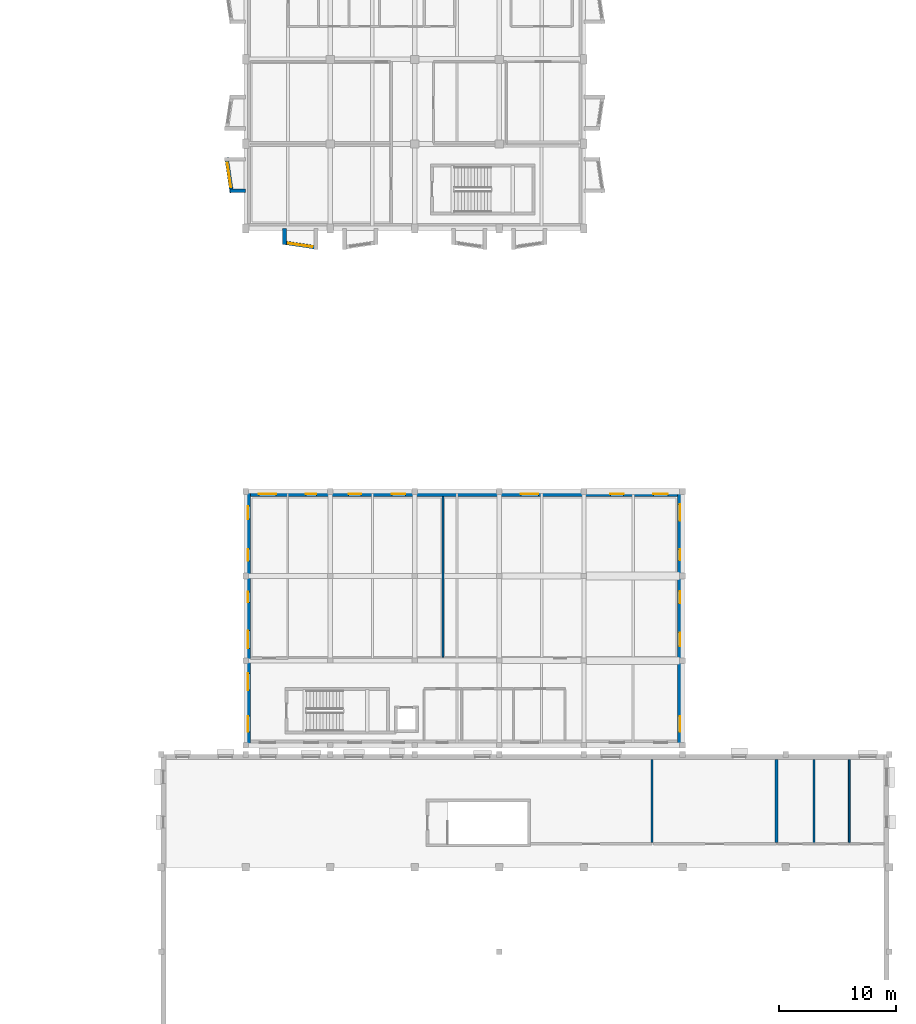
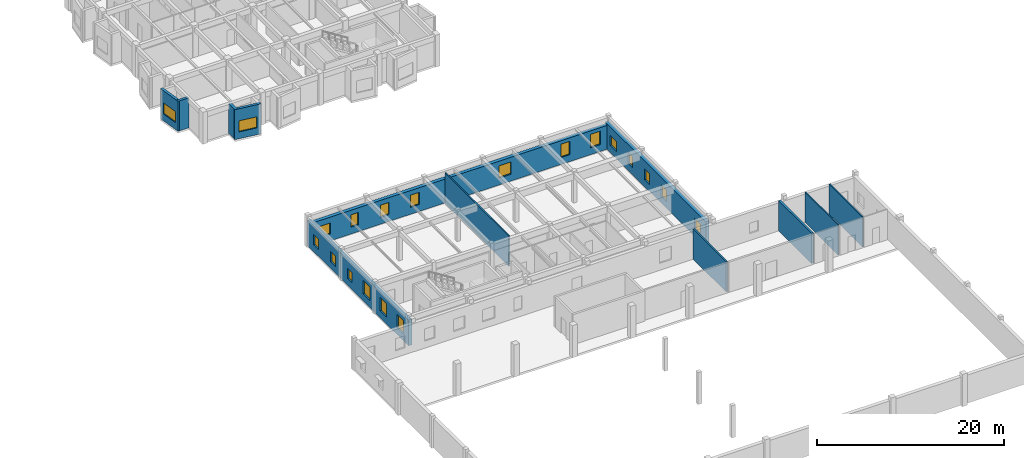
# One storey, part 36 of 49: 20 windows, 12 walls, 20 openings.
"""IFC4 building model written with IfcOpenShell, lengths in metres."""

from ifc_helpers import new_model, si_unit, direction, frame, frame_2d, origin, place, context, subcontext, project, spatial, rectangle, extrude, material, layer, layer_set, type_object, element, fill, save


model = new_model("IFC4")

# Units and contexts
model_context = context("Model", 3, precision=1e-05, world=origin(), true_north=direction((0.0, 1.0)))
body_context = subcontext(model_context, "Body", "Model", "MODEL_VIEW")
ifc_project = project(units=[si_unit("LENGTHUNIT", "METRE"), si_unit("AREAUNIT", "SQUARE_METRE"), si_unit("VOLUMEUNIT", "CUBIC_METRE"), si_unit("PLANEANGLEUNIT", "RADIAN"), si_unit("MASSUNIT", "GRAM", prefix="KILO")], contexts=[model_context])

# Site, building, storey
site_placement = place(None, origin())
site = spatial("IfcSite", under=ifc_project, at=site_placement, CompositionType="ELEMENT")
building_placement = place(site_placement, origin())
building = spatial("IfcBuilding", under=site, at=building_placement, Name="Bramveld Media Centre", CompositionType="ELEMENT")
storey_placement = place(building_placement, frame((0.0, 0.0, 9.60009765625)))
storey = spatial("IfcBuildingStorey", under=building, at=storey_placement, Name="L02", CompositionType="ELEMENT", Elevation=9.60009765625)

# Wall, openings, windows
ifc_material_1 = material(Name="Flemish red-brown clay facing brick cavity wall with concrete C35/45 inner leaf", Category="masonry")
ifc_layer_1 = layer(ifc_material_1, 0.419921875)
ifc_layer_set_1 = layer_set([ifc_layer_1], Name="Flemish red-brown clay facing brick cavity wall with concrete C35/45 inner leaf")
wall_type_1 = type_object("IfcWallType", Name="EW-BRK-420", PredefinedType="SOLIDWALL", material=ifc_layer_set_1)
wall_1_placement = place(storey_placement, frame((168.18994140625, 60.800048828125, 0.0), z_axis=(0.0, 0.0, 1.0), x_axis=(0.0, -1.0, 0.0)))
wall_1 = element("IfcWall", 1, at=wall_1_placement, inside=storey, type_object=wall_type_1, Name="V4 L02 E facing brick exterior wall", PredefinedType="SOLIDWALL", context=body_context, shape_type="SweptSolid", body=[
    extrude(rectangle(XDim=21.60009765625, YDim=0.419921875, at=frame_2d((10.800048828125, 0.0))), origin(), (0.0, 0.0, 1.0), 3.35498046875),
])
opening_1_placement = place(wall_1_placement, frame((1.10009765625, 0.0, 0.89990234375)))
opening_1 = element("IfcOpeningElement", 2, at=opening_1_placement, cuts=wall_1, Name="Opening W-06", PredefinedType="OPENING", context=body_context, shape_type="SweptSolid", body=[
    extrude(rectangle(XDim=1.39990234375, YDim=1.35009765625, at=frame_2d((0.699951171875, 0.675048828125))), frame((0.0, 0.221923828125, 0.0), z_axis=(0.0, -1.0, 0.0), x_axis=(1.0, 0.0, 0.0)), (0.0, 0.0, 1.0), 0.44384765625),
])
opening_2_placement = place(wall_1_placement, frame((4.925048828125, 0.0, 0.89990234375)))
opening_2 = element("IfcOpeningElement", 3, at=opening_2_placement, cuts=wall_1, Name="Opening W-07", PredefinedType="OPENING", context=body_context, shape_type="SweptSolid", body=[
    extrude(rectangle(XDim=0.949951171875, YDim=1.449951171875, at=frame_2d((0.47509765625, 0.72509765625))), frame((0.0, 0.221923828125, 0.0), z_axis=(0.0, -1.0, 0.0), x_axis=(1.0, 0.0, 0.0)), (0.0, 0.0, 1.0), 0.44384765625),
])
opening_3_placement = place(wall_1_placement, frame((8.47509765625, 0.0, 0.89990234375)))
opening_3 = element("IfcOpeningElement", 4, at=opening_3_placement, cuts=wall_1, Name="Opening W-08", PredefinedType="OPENING", context=body_context, shape_type="SweptSolid", body=[
    extrude(rectangle(XDim=1.050048828125, YDim=1.449951171875, at=frame_2d((0.52490234375, 0.72509765625))), frame((0.0, 0.221923828125, 0.0), z_axis=(0.0, -1.0, 0.0), x_axis=(1.0, 0.0, 0.0)), (0.0, 0.0, 1.0), 0.44384765625),
])
opening_4_placement = place(wall_1_placement, frame((12.02490234375, 0.0, 0.89990234375)))
opening_4 = element("IfcOpeningElement", 5, at=opening_4_placement, cuts=wall_1, Name="Opening W-09", PredefinedType="OPENING", context=body_context, shape_type="SweptSolid", body=[
    extrude(rectangle(XDim=1.14990234375, YDim=1.449951171875, at=frame_2d((0.574951171875, 0.72509765625))), frame((0.0, 0.221923828125, 0.0), z_axis=(0.0, -1.0, 0.0), x_axis=(1.0, 0.0, 0.0)), (0.0, 0.0, 1.0), 0.44384765625),
])
opening_5_placement = place(wall_1_placement, frame((19.125, 0.0, 0.89990234375)))
opening_5 = element("IfcOpeningElement", 6, at=opening_5_placement, cuts=wall_1, Name="Opening W-11", PredefinedType="OPENING", context=body_context, shape_type="SweptSolid", body=[
    extrude(rectangle(XDim=1.35009765625, YDim=1.449951171875, at=frame_2d((0.675048828125, 0.72509765625))), frame((0.0, 0.221923828125, 0.0), z_axis=(0.0, -1.0, 0.0), x_axis=(1.0, 0.0, 0.0)), (0.0, 0.0, 1.0), 0.44384765625),
])
ifc_material_2 = material(Name="Thermally broken anodized bronze aluminium frame with triple acoustic glazing", Category="aluminium")
window_type_1 = type_object("IfcWindowType", Name="WIN-FAC-06", PartitioningType="SINGLE_PANEL", PredefinedType="WINDOW", material=ifc_material_2)
window_1_placement = place(opening_1_placement, origin())
window_1 = element("IfcWindow", 7, at=window_1_placement, inside=storey, type_object=window_type_1, Name="V4 L02 E acoustic facade window", OverallHeight=1.35009765625, OverallWidth=1.39990234375, PartitioningType="SINGLE_PANEL", PredefinedType="WINDOW", context=body_context, shape_type="SweptSolid", body=[
    extrude(rectangle(XDim=1.39990234375, YDim=1.35009765625, at=frame_2d((0.699951171875, 0.675048828125))), frame((0.0, 0.030029296875, 0.0), z_axis=(0.0, -1.0, 0.0), x_axis=(1.0, 0.0, 0.0)), (0.0, 0.0, 1.0), 0.06005859375),
])
fill(opening_1, window_1)
ifc_material_3 = material(Name="Thermally broken anodized bronze aluminium frame with triple acoustic glazing", Category="aluminium")
window_type_2 = type_object("IfcWindowType", Name="WIN-FAC-07", PartitioningType="SINGLE_PANEL", PredefinedType="WINDOW", material=ifc_material_3)
window_2_placement = place(opening_2_placement, origin())
window_2 = element("IfcWindow", 8, at=window_2_placement, inside=storey, type_object=window_type_2, Name="V4 L02 E acoustic facade window", OverallHeight=1.449951171875, OverallWidth=0.949951171875, PartitioningType="SINGLE_PANEL", PredefinedType="WINDOW", context=body_context, shape_type="SweptSolid", body=[
    extrude(rectangle(XDim=0.949951171875, YDim=1.449951171875, at=frame_2d((0.47509765625, 0.72509765625))), frame((0.0, 0.030029296875, 0.0), z_axis=(0.0, -1.0, 0.0), x_axis=(1.0, 0.0, 0.0)), (0.0, 0.0, 1.0), 0.06005859375),
])
fill(opening_2, window_2)
ifc_material_4 = material(Name="Thermally broken anodized bronze aluminium frame with triple acoustic glazing", Category="aluminium")
window_type_3 = type_object("IfcWindowType", Name="WIN-FAC-08", PartitioningType="SINGLE_PANEL", PredefinedType="WINDOW", material=ifc_material_4)
window_3_placement = place(opening_3_placement, origin())
window_3 = element("IfcWindow", 9, at=window_3_placement, inside=storey, type_object=window_type_3, Name="V4 L02 E acoustic facade window", OverallHeight=1.449951171875, OverallWidth=1.050048828125, PartitioningType="SINGLE_PANEL", PredefinedType="WINDOW", context=body_context, shape_type="SweptSolid", body=[
    extrude(rectangle(XDim=1.050048828125, YDim=1.449951171875, at=frame_2d((0.52490234375, 0.72509765625))), frame((0.0, 0.030029296875, 0.0), z_axis=(0.0, -1.0, 0.0), x_axis=(1.0, 0.0, 0.0)), (0.0, 0.0, 1.0), 0.06005859375),
])
fill(opening_3, window_3)
ifc_material_5 = material(Name="Thermally broken anodized bronze aluminium frame with triple acoustic glazing", Category="aluminium")
window_type_4 = type_object("IfcWindowType", Name="WIN-FAC-09", PartitioningType="SINGLE_PANEL", PredefinedType="WINDOW", material=ifc_material_5)
window_4_placement = place(opening_4_placement, origin())
window_4 = element("IfcWindow", 10, at=window_4_placement, inside=storey, type_object=window_type_4, Name="V4 L02 E acoustic facade window", OverallHeight=1.449951171875, OverallWidth=1.14990234375, PartitioningType="SINGLE_PANEL", PredefinedType="WINDOW", context=body_context, shape_type="SweptSolid", body=[
    extrude(rectangle(XDim=1.14990234375, YDim=1.449951171875, at=frame_2d((0.574951171875, 0.72509765625))), frame((0.0, 0.030029296875, 0.0), z_axis=(0.0, -1.0, 0.0), x_axis=(1.0, 0.0, 0.0)), (0.0, 0.0, 1.0), 0.06005859375),
])
fill(opening_4, window_4)
ifc_material_6 = material(Name="Thermally broken anodized bronze aluminium frame with triple acoustic glazing", Category="aluminium")
window_type_5 = type_object("IfcWindowType", Name="WIN-FAC-11", PartitioningType="SINGLE_PANEL", PredefinedType="WINDOW", material=ifc_material_6)
window_5_placement = place(opening_5_placement, origin())
window_5 = element("IfcWindow", 11, at=window_5_placement, inside=storey, type_object=window_type_5, Name="V4 L02 E acoustic facade window", OverallHeight=1.449951171875, OverallWidth=1.35009765625, PartitioningType="SINGLE_PANEL", PredefinedType="WINDOW", context=body_context, shape_type="SweptSolid", body=[
    extrude(rectangle(XDim=1.35009765625, YDim=1.449951171875, at=frame_2d((0.675048828125, 0.72509765625))), frame((0.0, 0.030029296875, 0.0), z_axis=(0.0, -1.0, 0.0), x_axis=(1.0, 0.0, 0.0)), (0.0, 0.0, 1.0), 0.06005859375),
])
fill(opening_5, window_5)

wall_2_placement = place(storey_placement, frame((131.199951171875, 60.590087890625, 0.0), z_axis=(0.0, 0.0, 1.0), x_axis=(1.0, 0.0, 0.0)))
wall_2 = element("IfcWall", 12, at=wall_2_placement, inside=storey, type_object=wall_type_1, Name="V4 L02 N facing brick exterior wall", PredefinedType="SOLIDWALL", context=body_context, shape_type="SweptSolid", body=[
    extrude(rectangle(XDim=37.199951171875, YDim=0.419921875, at=frame_2d((18.60009765625, 0.0))), origin(), (0.0, 0.0, 1.0), 3.114990234375),
])
opening_6_placement = place(wall_2_placement, frame((1.135009765625, 0.0, 0.89990234375)))
opening_6 = element("IfcOpeningElement", 13, at=opening_6_placement, cuts=wall_2, Name="Opening W-12", PredefinedType="OPENING", context=body_context, shape_type="SweptSolid", body=[
    extrude(rectangle(XDim=1.449951171875, YDim=1.449951171875, at=frame_2d((0.72509765625, 0.72509765625))), frame((0.0, 0.221923828125, 0.0), z_axis=(0.0, -1.0, 0.0), x_axis=(1.0, 0.0, 0.0)), (0.0, 0.0, 1.0), 0.44384765625),
])
opening_7_placement = place(wall_2_placement, frame((5.1298828125, 0.0, 0.89990234375)))
opening_7 = element("IfcOpeningElement", 14, at=opening_7_placement, cuts=wall_2, Name="Opening W-13", PredefinedType="OPENING", context=body_context, shape_type="SweptSolid", body=[
    extrude(rectangle(XDim=0.89990234375, YDim=1.60009765625, at=frame_2d((0.449951171875, 0.800048828125))), frame((0.0, 0.221923828125, 0.0), z_axis=(0.0, -1.0, 0.0), x_axis=(1.0, 0.0, 0.0)), (0.0, 0.0, 1.0), 0.44384765625),
])
opening_8_placement = place(wall_2_placement, frame((8.77490234375, 0.0, 0.89990234375)))
opening_8 = element("IfcOpeningElement", 15, at=opening_8_placement, cuts=wall_2, Name="Opening W-14", PredefinedType="OPENING", context=body_context, shape_type="SweptSolid", body=[
    extrude(rectangle(XDim=1.050048828125, YDim=1.60009765625, at=frame_2d((0.52490234375, 0.800048828125))), frame((0.0, 0.221923828125, 0.0), z_axis=(0.0, -1.0, 0.0), x_axis=(1.0, 0.0, 0.0)), (0.0, 0.0, 1.0), 0.44384765625),
])
opening_9_placement = place(wall_2_placement, frame((12.445068359375, 0.0, 0.89990234375)))
opening_9 = element("IfcOpeningElement", 16, at=opening_9_placement, cuts=wall_2, Name="Opening W-15", PredefinedType="OPENING", context=body_context, shape_type="SweptSolid", body=[
    extrude(rectangle(XDim=1.14990234375, YDim=1.60009765625, at=frame_2d((0.574951171875, 0.800048828125))), frame((0.0, 0.221923828125, 0.0), z_axis=(0.0, -1.0, 0.0), x_axis=(1.0, 0.0, 0.0)), (0.0, 0.0, 1.0), 0.44384765625),
])
opening_10_placement = place(wall_2_placement, frame((23.429931640625, 0.0, 0.89990234375)))
opening_10 = element("IfcOpeningElement", 17, at=opening_10_placement, cuts=wall_2, Name="Opening W-18", PredefinedType="OPENING", context=body_context, shape_type="SweptSolid", body=[
    extrude(rectangle(XDim=1.5, YDim=1.60009765625, at=frame_2d((0.75, 0.800048828125))), frame((0.0, 0.221923828125, 0.0), z_axis=(0.0, -1.0, 0.0), x_axis=(1.0, 0.0, 0.0)), (0.0, 0.0, 1.0), 0.44384765625),
])
opening_11_placement = place(wall_2_placement, frame((31.06005859375, 0.0, 0.89990234375)))
opening_11 = element("IfcOpeningElement", 18, at=opening_11_placement, cuts=wall_2, Name="Opening W-20", PredefinedType="OPENING", context=body_context, shape_type="SweptSolid", body=[
    extrude(rectangle(XDim=1.1201171875, YDim=1.75, at=frame_2d((0.56005859375, 0.875))), frame((0.0, 0.221923828125, 0.0), z_axis=(0.0, -1.0, 0.0), x_axis=(1.0, 0.0, 0.0)), (0.0, 0.0, 1.0), 0.44384765625),
])
opening_12_placement = place(wall_2_placement, frame((34.719970703125, 0.0, 0.89990234375)))
opening_12 = element("IfcOpeningElement", 19, at=opening_12_placement, cuts=wall_2, Name="Opening W-21", PredefinedType="OPENING", context=body_context, shape_type="SweptSolid", body=[
    extrude(rectangle(XDim=1.239990234375, YDim=1.75, at=frame_2d((0.6201171875, 0.875))), frame((0.0, 0.221923828125, 0.0), z_axis=(0.0, -1.0, 0.0), x_axis=(1.0, 0.0, 0.0)), (0.0, 0.0, 1.0), 0.44384765625),
])
ifc_material_7 = material(Name="Thermally broken anodized bronze aluminium frame with triple acoustic glazing", Category="aluminium")
window_type_6 = type_object("IfcWindowType", Name="WIN-FAC-12", PartitioningType="SINGLE_PANEL", PredefinedType="WINDOW", material=ifc_material_7)
window_6_placement = place(opening_6_placement, origin())
window_6 = element("IfcWindow", 20, at=window_6_placement, inside=storey, type_object=window_type_6, Name="V4 L02 N acoustic facade window", OverallHeight=1.449951171875, OverallWidth=1.449951171875, PartitioningType="SINGLE_PANEL", PredefinedType="WINDOW", context=body_context, shape_type="SweptSolid", body=[
    extrude(rectangle(XDim=1.449951171875, YDim=1.449951171875, at=frame_2d((0.72509765625, 0.72509765625))), frame((0.0, 0.030029296875, 0.0), z_axis=(0.0, -1.0, 0.0), x_axis=(1.0, 0.0, 0.0)), (0.0, 0.0, 1.0), 0.06005859375),
])
fill(opening_6, window_6)
ifc_material_8 = material(Name="Thermally broken anodized bronze aluminium frame with triple acoustic glazing", Category="aluminium")
window_type_7 = type_object("IfcWindowType", Name="WIN-FAC-13", PartitioningType="SINGLE_PANEL", PredefinedType="WINDOW", material=ifc_material_8)
window_7_placement = place(opening_7_placement, origin())
window_7 = element("IfcWindow", 21, at=window_7_placement, inside=storey, type_object=window_type_7, Name="V4 L02 N acoustic facade window", OverallHeight=1.60009765625, OverallWidth=0.89990234375, PartitioningType="SINGLE_PANEL", PredefinedType="WINDOW", context=body_context, shape_type="SweptSolid", body=[
    extrude(rectangle(XDim=0.89990234375, YDim=1.60009765625, at=frame_2d((0.449951171875, 0.800048828125))), frame((0.0, 0.030029296875, 0.0), z_axis=(0.0, -1.0, 0.0), x_axis=(1.0, 0.0, 0.0)), (0.0, 0.0, 1.0), 0.06005859375),
])
fill(opening_7, window_7)
ifc_material_9 = material(Name="Thermally broken anodized bronze aluminium frame with triple acoustic glazing", Category="aluminium")
window_type_8 = type_object("IfcWindowType", Name="WIN-FAC-14", PartitioningType="SINGLE_PANEL", PredefinedType="WINDOW", material=ifc_material_9)
window_8_placement = place(opening_8_placement, origin())
window_8 = element("IfcWindow", 22, at=window_8_placement, inside=storey, type_object=window_type_8, Name="V4 L02 N acoustic facade window", OverallHeight=1.60009765625, OverallWidth=1.050048828125, PartitioningType="SINGLE_PANEL", PredefinedType="WINDOW", context=body_context, shape_type="SweptSolid", body=[
    extrude(rectangle(XDim=1.050048828125, YDim=1.60009765625, at=frame_2d((0.52490234375, 0.800048828125))), frame((0.0, 0.030029296875, 0.0), z_axis=(0.0, -1.0, 0.0), x_axis=(1.0, 0.0, 0.0)), (0.0, 0.0, 1.0), 0.06005859375),
])
fill(opening_8, window_8)
ifc_material_10 = material(Name="Thermally broken anodized bronze aluminium frame with triple acoustic glazing", Category="aluminium")
window_type_9 = type_object("IfcWindowType", Name="WIN-FAC-15", PartitioningType="SINGLE_PANEL", PredefinedType="WINDOW", material=ifc_material_10)
window_9_placement = place(opening_9_placement, origin())
window_9 = element("IfcWindow", 23, at=window_9_placement, inside=storey, type_object=window_type_9, Name="V4 L02 N acoustic facade window", OverallHeight=1.60009765625, OverallWidth=1.14990234375, PartitioningType="SINGLE_PANEL", PredefinedType="WINDOW", context=body_context, shape_type="SweptSolid", body=[
    extrude(rectangle(XDim=1.14990234375, YDim=1.60009765625, at=frame_2d((0.574951171875, 0.800048828125))), frame((0.0, 0.030029296875, 0.0), z_axis=(0.0, -1.0, 0.0), x_axis=(1.0, 0.0, 0.0)), (0.0, 0.0, 1.0), 0.06005859375),
])
fill(opening_9, window_9)
ifc_material_11 = material(Name="Thermally broken anodized bronze aluminium frame with triple acoustic glazing", Category="aluminium")
window_type_10 = type_object("IfcWindowType", Name="WIN-FAC-18", PartitioningType="SINGLE_PANEL", PredefinedType="WINDOW", material=ifc_material_11)
window_10_placement = place(opening_10_placement, origin())
window_10 = element("IfcWindow", 24, at=window_10_placement, inside=storey, type_object=window_type_10, Name="V4 L02 N acoustic facade window", OverallHeight=1.60009765625, OverallWidth=1.5, PartitioningType="SINGLE_PANEL", PredefinedType="WINDOW", context=body_context, shape_type="SweptSolid", body=[
    extrude(rectangle(XDim=1.5, YDim=1.60009765625, at=frame_2d((0.75, 0.800048828125))), frame((0.0, 0.030029296875, 0.0), z_axis=(0.0, -1.0, 0.0), x_axis=(1.0, 0.0, 0.0)), (0.0, 0.0, 1.0), 0.06005859375),
])
fill(opening_10, window_10)
ifc_material_12 = material(Name="Thermally broken anodized bronze aluminium frame with triple acoustic glazing", Category="aluminium")
window_type_11 = type_object("IfcWindowType", Name="WIN-FAC-20", PartitioningType="SINGLE_PANEL", PredefinedType="WINDOW", material=ifc_material_12)
window_11_placement = place(opening_11_placement, origin())
window_11 = element("IfcWindow", 25, at=window_11_placement, inside=storey, type_object=window_type_11, Name="V4 L02 N acoustic facade window", OverallHeight=1.75, OverallWidth=1.1201171875, PartitioningType="SINGLE_PANEL", PredefinedType="WINDOW", context=body_context, shape_type="SweptSolid", body=[
    extrude(rectangle(XDim=1.1201171875, YDim=1.75, at=frame_2d((0.56005859375, 0.875))), frame((0.0, 0.030029296875, 0.0), z_axis=(0.0, -1.0, 0.0), x_axis=(1.0, 0.0, 0.0)), (0.0, 0.0, 1.0), 0.06005859375),
])
fill(opening_11, window_11)
ifc_material_13 = material(Name="Thermally broken anodized bronze aluminium frame with triple acoustic glazing", Category="aluminium")
window_type_12 = type_object("IfcWindowType", Name="WIN-FAC-21", PartitioningType="SINGLE_PANEL", PredefinedType="WINDOW", material=ifc_material_13)
window_12_placement = place(opening_12_placement, origin())
window_12 = element("IfcWindow", 26, at=window_12_placement, inside=storey, type_object=window_type_12, Name="V4 L02 N acoustic facade window", OverallHeight=1.75, OverallWidth=1.239990234375, PartitioningType="SINGLE_PANEL", PredefinedType="WINDOW", context=body_context, shape_type="SweptSolid", body=[
    extrude(rectangle(XDim=1.239990234375, YDim=1.75, at=frame_2d((0.6201171875, 0.875))), frame((0.0, 0.030029296875, 0.0), z_axis=(0.0, -1.0, 0.0), x_axis=(1.0, 0.0, 0.0)), (0.0, 0.0, 1.0), 0.06005859375),
])
fill(opening_12, window_12)

wall_3_placement = place(storey_placement, frame((131.409912109375, 39.199951171875, 0.0), z_axis=(0.0, 0.0, 1.0), x_axis=(0.0, 1.0, 0.0)))
wall_3 = element("IfcWall", 27, at=wall_3_placement, inside=storey, type_object=wall_type_1, Name="V4 L02 W facing brick exterior wall", PredefinedType="SOLIDWALL", context=body_context, shape_type="SweptSolid", body=[
    extrude(rectangle(XDim=21.60009765625, YDim=0.419921875, at=frame_2d((10.800048828125, 0.0))), origin(), (0.0, 0.0, 1.0), 3.35498046875),
])
opening_13_placement = place(wall_3_placement, frame((1.1298828125, 0.0, 0.89990234375)))
opening_13 = element("IfcOpeningElement", 28, at=opening_13_placement, cuts=wall_3, Name="Opening W-22", PredefinedType="OPENING", context=body_context, shape_type="SweptSolid", body=[
    extrude(rectangle(XDim=1.340087890625, YDim=1.75, at=frame_2d((0.669921875, 0.875))), frame((0.0, 0.221923828125, 0.0), z_axis=(0.0, -1.0, 0.0), x_axis=(1.0, 0.0, 0.0)), (0.0, 0.0, 1.0), 0.44384765625),
])
opening_14_placement = place(wall_3_placement, frame((4.679931640625, 0.0, 0.89990234375)))
opening_14 = element("IfcOpeningElement", 29, at=opening_14_placement, cuts=wall_3, Name="Opening W-23", PredefinedType="OPENING", context=body_context, shape_type="SweptSolid", body=[
    extrude(rectangle(XDim=1.43994140625, YDim=1.75, at=frame_2d((0.719970703125, 0.875))), frame((0.0, 0.221923828125, 0.0), z_axis=(0.0, -1.0, 0.0), x_axis=(1.0, 0.0, 0.0)), (0.0, 0.0, 1.0), 0.44384765625),
])
opening_15_placement = place(wall_3_placement, frame((8.25, 0.0, 0.89990234375)))
opening_15 = element("IfcOpeningElement", 30, at=opening_15_placement, cuts=wall_3, Name="Opening W-24", PredefinedType="OPENING", context=body_context, shape_type="SweptSolid", body=[
    extrude(rectangle(XDim=1.5, YDim=1.75, at=frame_2d((0.75, 0.875))), frame((0.0, 0.221923828125, 0.0), z_axis=(0.0, -1.0, 0.0), x_axis=(1.0, 0.0, 0.0)), (0.0, 0.0, 1.0), 0.44384765625),
])
opening_16_placement = place(wall_3_placement, frame((12.14990234375, 0.0, 0.89990234375)))
opening_16 = element("IfcOpeningElement", 31, at=opening_16_placement, cuts=wall_3, Name="Opening W-01", PredefinedType="OPENING", context=body_context, shape_type="SweptSolid", body=[
    extrude(rectangle(XDim=0.89990234375, YDim=1.35009765625, at=frame_2d((0.449951171875, 0.675048828125))), frame((0.0, 0.221923828125, 0.0), z_axis=(0.0, -1.0, 0.0), x_axis=(1.0, 0.0, 0.0)), (0.0, 0.0, 1.0), 0.44384765625),
])
opening_17_placement = place(wall_3_placement, frame((15.699951171875, 0.0, 0.89990234375)))
opening_17 = element("IfcOpeningElement", 32, at=opening_17_placement, cuts=wall_3, Name="Opening W-02", PredefinedType="OPENING", context=body_context, shape_type="SweptSolid", body=[
    extrude(rectangle(XDim=1.0, YDim=1.35009765625, at=frame_2d((0.5, 0.675048828125))), frame((0.0, 0.221923828125, 0.0), z_axis=(0.0, -1.0, 0.0), x_axis=(1.0, 0.0, 0.0)), (0.0, 0.0, 1.0), 0.44384765625),
])
opening_18_placement = place(wall_3_placement, frame((19.25, 0.0, 0.89990234375)))
opening_18 = element("IfcOpeningElement", 33, at=opening_18_placement, cuts=wall_3, Name="Opening W-03", PredefinedType="OPENING", context=body_context, shape_type="SweptSolid", body=[
    extrude(rectangle(XDim=1.10009765625, YDim=1.35009765625, at=frame_2d((0.550048828125, 0.675048828125))), frame((0.0, 0.221923828125, 0.0), z_axis=(0.0, -1.0, 0.0), x_axis=(1.0, 0.0, 0.0)), (0.0, 0.0, 1.0), 0.44384765625),
])
ifc_material_14 = material(Name="Thermally broken anodized bronze aluminium frame with triple acoustic glazing", Category="aluminium")
window_type_13 = type_object("IfcWindowType", Name="WIN-FAC-01", PartitioningType="SINGLE_PANEL", PredefinedType="WINDOW", material=ifc_material_14)
window_13_placement = place(opening_16_placement, origin())
window_13 = element("IfcWindow", 34, at=window_13_placement, inside=storey, type_object=window_type_13, Name="V4 L02 W acoustic facade window", OverallHeight=1.35009765625, OverallWidth=0.89990234375, PartitioningType="SINGLE_PANEL", PredefinedType="WINDOW", context=body_context, shape_type="SweptSolid", body=[
    extrude(rectangle(XDim=0.89990234375, YDim=1.35009765625, at=frame_2d((0.449951171875, 0.675048828125))), frame((0.0, 0.030029296875, 0.0), z_axis=(0.0, -1.0, 0.0), x_axis=(1.0, 0.0, 0.0)), (0.0, 0.0, 1.0), 0.06005859375),
])
fill(opening_16, window_13)
ifc_material_15 = material(Name="Thermally broken anodized bronze aluminium frame with triple acoustic glazing", Category="aluminium")
window_type_14 = type_object("IfcWindowType", Name="WIN-FAC-02", PartitioningType="SINGLE_PANEL", PredefinedType="WINDOW", material=ifc_material_15)
window_14_placement = place(opening_17_placement, origin())
window_14 = element("IfcWindow", 35, at=window_14_placement, inside=storey, type_object=window_type_14, Name="V4 L02 W acoustic facade window", OverallHeight=1.35009765625, OverallWidth=1.0, PartitioningType="SINGLE_PANEL", PredefinedType="WINDOW", context=body_context, shape_type="SweptSolid", body=[
    extrude(rectangle(XDim=1.0, YDim=1.35009765625, at=frame_2d((0.5, 0.675048828125))), frame((0.0, 0.030029296875, 0.0), z_axis=(0.0, -1.0, 0.0), x_axis=(1.0, 0.0, 0.0)), (0.0, 0.0, 1.0), 0.06005859375),
])
fill(opening_17, window_14)
ifc_material_16 = material(Name="Thermally broken anodized bronze aluminium frame with triple acoustic glazing", Category="aluminium")
window_type_15 = type_object("IfcWindowType", Name="WIN-FAC-03", PartitioningType="SINGLE_PANEL", PredefinedType="WINDOW", material=ifc_material_16)
window_15_placement = place(opening_18_placement, origin())
window_15 = element("IfcWindow", 36, at=window_15_placement, inside=storey, type_object=window_type_15, Name="V4 L02 W acoustic facade window", OverallHeight=1.35009765625, OverallWidth=1.10009765625, PartitioningType="SINGLE_PANEL", PredefinedType="WINDOW", context=body_context, shape_type="SweptSolid", body=[
    extrude(rectangle(XDim=1.10009765625, YDim=1.35009765625, at=frame_2d((0.550048828125, 0.675048828125))), frame((0.0, 0.030029296875, 0.0), z_axis=(0.0, -1.0, 0.0), x_axis=(1.0, 0.0, 0.0)), (0.0, 0.0, 1.0), 0.06005859375),
])
fill(opening_18, window_15)
ifc_material_17 = material(Name="Thermally broken anodized bronze aluminium frame with triple acoustic glazing", Category="aluminium")
window_type_16 = type_object("IfcWindowType", Name="WIN-FAC-22", PartitioningType="SINGLE_PANEL", PredefinedType="WINDOW", material=ifc_material_17)
window_16_placement = place(opening_13_placement, origin())
window_16 = element("IfcWindow", 37, at=window_16_placement, inside=storey, type_object=window_type_16, Name="V4 L02 W acoustic facade window", OverallHeight=1.75, OverallWidth=1.340087890625, PartitioningType="SINGLE_PANEL", PredefinedType="WINDOW", context=body_context, shape_type="SweptSolid", body=[
    extrude(rectangle(XDim=1.340087890625, YDim=1.75, at=frame_2d((0.669921875, 0.875))), frame((0.0, 0.030029296875, 0.0), z_axis=(0.0, -1.0, 0.0), x_axis=(1.0, 0.0, 0.0)), (0.0, 0.0, 1.0), 0.06005859375),
])
fill(opening_13, window_16)
ifc_material_18 = material(Name="Thermally broken anodized bronze aluminium frame with triple acoustic glazing", Category="aluminium")
window_type_17 = type_object("IfcWindowType", Name="WIN-FAC-23", PartitioningType="SINGLE_PANEL", PredefinedType="WINDOW", material=ifc_material_18)
window_17_placement = place(opening_14_placement, origin())
window_17 = element("IfcWindow", 38, at=window_17_placement, inside=storey, type_object=window_type_17, Name="V4 L02 W acoustic facade window", OverallHeight=1.75, OverallWidth=1.43994140625, PartitioningType="SINGLE_PANEL", PredefinedType="WINDOW", context=body_context, shape_type="SweptSolid", body=[
    extrude(rectangle(XDim=1.43994140625, YDim=1.75, at=frame_2d((0.719970703125, 0.875))), frame((0.0, 0.030029296875, 0.0), z_axis=(0.0, -1.0, 0.0), x_axis=(1.0, 0.0, 0.0)), (0.0, 0.0, 1.0), 0.06005859375),
])
fill(opening_14, window_17)
ifc_material_19 = material(Name="Thermally broken anodized bronze aluminium frame with triple acoustic glazing", Category="aluminium")
window_type_18 = type_object("IfcWindowType", Name="WIN-FAC-24", PartitioningType="SINGLE_PANEL", PredefinedType="WINDOW", material=ifc_material_19)
window_18_placement = place(opening_15_placement, origin())
window_18 = element("IfcWindow", 39, at=window_18_placement, inside=storey, type_object=window_type_18, Name="V4 L02 W acoustic facade window", OverallHeight=1.75, OverallWidth=1.5, PartitioningType="SINGLE_PANEL", PredefinedType="WINDOW", context=body_context, shape_type="SweptSolid", body=[
    extrude(rectangle(XDim=1.5, YDim=1.75, at=frame_2d((0.75, 0.875))), frame((0.0, 0.030029296875, 0.0), z_axis=(0.0, -1.0, 0.0), x_axis=(1.0, 0.0, 0.0)), (0.0, 0.0, 1.0), 0.06005859375),
])
fill(opening_15, window_18)

# Wall, opening, window
ifc_material_20 = material(Name="Precast concrete C40/50 & brick-slip faceted bay cheek wall", Category="masonry")
ifc_layer_2 = layer(ifc_material_20, 0.320068359375)
ifc_layer_set_2 = layer_set([ifc_layer_2], Name="Precast concrete C40/50 & brick-slip faceted bay cheek wall")
wall_type_2 = type_object("IfcWallType", Name="EW-FACET-320", PredefinedType="SOLIDWALL", material=ifc_layer_set_2)
wall_4_placement = place(storey_placement, frame((134.35009765625, 82.010009765625, 0.0), z_axis=(0.0, 0.0, 1.0), x_axis=(0.989266910268, -0.146119746268, 0.0)))
wall_4 = element("IfcWall", 40, at=wall_4_placement, inside=storey, type_object=wall_type_2, Name="V7 L02 S angled faceted bay front wall 1", PredefinedType="SOLIDWALL", context=body_context, shape_type="SweptSolid", body=[
    extrude(rectangle(XDim=3.032470703125, YDim=0.320068359375, at=frame_2d((1.51611328125, 0.0))), origin(), (0.0, 0.0, 1.0), 3.929931640625),
])
opening_19_placement = place(wall_4_placement, frame((0.46630859375, 0.0, 0.89990234375)))
opening_19 = element("IfcOpeningElement", 41, at=opening_19_placement, cuts=wall_4, Name="Opening W-28", PredefinedType="OPENING", context=body_context, shape_type="SweptSolid", body=[
    extrude(rectangle(XDim=2.10009765625, YDim=1.449951171875, at=frame_2d((1.050048828125, 0.72509765625))), frame((0.0, 0.171875, 0.0), z_axis=(0.0, -1.0, 0.0), x_axis=(1.0, 0.0, 0.0)), (0.0, 0.0, 1.0), 0.343994140625),
])
ifc_material_21 = material(Name="Thermally broken anodized bronze aluminium frame with triple acoustic glazing", Category="aluminium")
window_type_19 = type_object("IfcWindowType", Name="WIN-FAC-28", PartitioningType="SINGLE_PANEL", PredefinedType="WINDOW", material=ifc_material_21)
window_19_placement = place(opening_19_placement, origin())
window_19 = element("IfcWindow", 42, at=window_19_placement, inside=storey, type_object=window_type_19, Name="V7 L02 S faceted bay window 1", OverallHeight=1.449951171875, OverallWidth=2.10009765625, PartitioningType="SINGLE_PANEL", PredefinedType="WINDOW", context=body_context, shape_type="SweptSolid", body=[
    extrude(rectangle(XDim=2.10009765625, YDim=1.449951171875, at=frame_2d((1.050048828125, 0.72509765625))), frame((0.0, 0.030029296875, 0.0), z_axis=(0.0, -1.0, 0.0), x_axis=(1.0, 0.0, 0.0)), (0.0, 0.0, 1.0), 0.06005859375),
])
fill(opening_19, window_19)

# Wall
wall_5_placement = place(storey_placement, frame((134.510009765625, 83.199951171875, 0.0), z_axis=(0.0, 0.0, 1.0), x_axis=(0.0, -1.0, 0.0)))
element("IfcWall", 43, at=wall_5_placement, inside=storey, type_object=wall_type_2, Name="V7 L02 S faceted bay cheek wall", PredefinedType="SOLIDWALL", context=body_context, shape_type="SweptSolid", body=[
    extrude(rectangle(XDim=1.349853515625, YDim=0.320068359375, at=frame_2d((0.6748046875, 0.0))), origin(), (0.0, 0.0, 1.0), 3.929931640625),
])

# Wall, opening, window
wall_6_placement = place(storey_placement, frame((129.56689453125, 89.25, 0.0), z_axis=(0.0, 0.0, 1.0), x_axis=(0.146119746268, -0.989266910268, 0.0)))
wall_6 = element("IfcWall", 44, at=wall_6_placement, inside=storey, type_object=wall_type_2, Name="V7 L02 W angled faceted bay front wall 1", PredefinedType="SOLIDWALL", context=body_context, shape_type="SweptSolid", body=[
    extrude(rectangle(XDim=3.032470703125, YDim=0.320068359375, at=frame_2d((1.51611328125, 0.0))), origin(), (0.0, 0.0, 1.0), 3.929931640625),
])
opening_20_placement = place(wall_6_placement, frame((0.46630859375, 0.0, 0.89990234375)))
opening_20 = element("IfcOpeningElement", 45, at=opening_20_placement, cuts=wall_6, Name="Opening W-28", PredefinedType="OPENING", context=body_context, shape_type="SweptSolid", body=[
    extrude(rectangle(XDim=2.10009765625, YDim=1.449951171875, at=frame_2d((1.050048828125, 0.72509765625))), frame((0.0, 0.171875, 0.0), z_axis=(0.0, -1.0, 0.0), x_axis=(1.0, 0.0, 0.0)), (0.0, 0.0, 1.0), 0.343994140625),
])
window_20_placement = place(opening_20_placement, origin())
window_20 = element("IfcWindow", 46, at=window_20_placement, inside=storey, type_object=window_type_19, Name="V7 L02 W faceted bay window 1", OverallHeight=1.449951171875, OverallWidth=2.10009765625, PartitioningType="SINGLE_PANEL", PredefinedType="WINDOW", context=body_context, shape_type="SweptSolid", body=[
    extrude(rectangle(XDim=2.10009765625, YDim=1.449951171875, at=frame_2d((1.050048828125, 0.72509765625))), frame((0.0, 0.030029296875, 0.0), z_axis=(0.0, -1.0, 0.0), x_axis=(1.0, 0.0, 0.0)), (0.0, 0.0, 1.0), 0.06005859375),
])
fill(opening_20, window_20)

# Walls
wall_7_placement = place(storey_placement, frame((131.199951171875, 86.409912109375, 0.0), z_axis=(0.0, 0.0, 1.0), x_axis=(-1.0, 0.0, 0.0)))
element("IfcWall", 47, at=wall_7_placement, inside=storey, type_object=wall_type_2, Name="V7 L02 W faceted bay cheek wall", PredefinedType="SOLIDWALL", context=body_context, shape_type="SweptSolid", body=[
    extrude(rectangle(XDim=1.349853515625, YDim=0.320068359375, at=frame_2d((0.6748046875, 0.0))), origin(), (0.0, 0.0, 1.0), 3.929931640625),
])
ifc_material_22 = material(Name="Acoustic calcium-silicate & mineral-wool compartment partition", Category="masonry")
ifc_layer_3 = layer(ifc_material_22, 0.199951171875)
ifc_layer_set_3 = layer_set([ifc_layer_3], Name="Acoustic calcium-silicate & mineral-wool compartment partition")
wall_type_3 = type_object("IfcWallType", Name="IW-ACOU-200", PredefinedType="PARTITIONING", material=ifc_layer_set_3)
wall_8_placement = place(storey_placement, frame((165.800048828125, 30.909912109375, 0.0), z_axis=(0.0, 0.0, 1.0), x_axis=(0.0, 1.0, 0.0)))
element("IfcWall", 48, at=wall_8_placement, inside=storey, type_object=wall_type_3, Name="Dolby Atmos Amplifier & Dimmer Room partition wall", PredefinedType="PARTITIONING", context=body_context, shape_type="SweptSolid", body=[
    extrude(rectangle(XDim=7.06005859375, YDim=0.199951171875, at=frame_2d((3.530029296875, 0.0))), origin(), (0.0, 0.0, 1.0), 3.949951171875),
])
ifc_material_23 = material(Name="Double-stud acoustic gypsum & mineral-wool studio wall", Category="gypsum")
ifc_layer_4 = layer(ifc_material_23, 0.239990234375)
ifc_layer_set_4 = layer_set([ifc_layer_4], Name="Double-stud acoustic gypsum & mineral-wool studio wall")
wall_type_4 = type_object("IfcWallType", Name="IW-ACOU-240", PredefinedType="PARTITIONING", material=ifc_layer_set_4)
wall_9_placement = place(storey_placement, frame((176.39990234375, 30.929931640625, 0.0), z_axis=(0.0, 0.0, 1.0), x_axis=(0.0, 1.0, 0.0)))
element("IfcWall", 49, at=wall_9_placement, inside=storey, type_object=wall_type_4, Name="Cinema Acoustic AHU Plant Room partition wall", PredefinedType="PARTITIONING", context=body_context, shape_type="SweptSolid", body=[
    extrude(rectangle(XDim=7.0400390625, YDim=0.239990234375, at=frame_2d((3.52001953125, 0.0))), origin(), (0.0, 0.0, 1.0), 3.949951171875),
])
ifc_material_24 = material(Name="Insulated metal-stud gypsum room partition", Category="gypsum")
ifc_layer_5 = layer(ifc_material_24, 0.14990234375)
ifc_layer_set_5 = layer_set([ifc_layer_5], Name="Insulated metal-stud gypsum room partition")
wall_type_5 = type_object("IfcWallType", Name="IW-PART-150", PredefinedType="PARTITIONING", material=ifc_layer_set_5)
wall_10_placement = place(storey_placement, frame((148.0, 46.699951171875, 0.0), z_axis=(0.0, 0.0, 1.0), x_axis=(0.0, 1.0, 0.0)))
element("IfcWall", 50, at=wall_10_placement, inside=storey, type_object=wall_type_5, Name="Animation & Motion-Capture Studio partition wall", PredefinedType="PARTITIONING", context=body_context, shape_type="SweptSolid", body=[
    extrude(rectangle(XDim=13.670166015625, YDim=0.14990234375, at=frame_2d((6.8349609375, 0.0))), origin(), (0.0, 0.0, 1.0), 3.9599609375),
])
ifc_material_25 = material(Name="Moisture-resistant cement-board sanitary partition", Category="gypsum")
ifc_layer_6 = layer(ifc_material_25, 0.139892578125)
ifc_layer_set_6 = layer_set([ifc_layer_6], Name="Moisture-resistant cement-board sanitary partition")
wall_type_6 = type_object("IfcWallType", Name="IW-WET-140", PredefinedType="PARTITIONING", material=ifc_layer_set_6)
for number, where, z_axis, x_axis, name in (
    (51, (179.60009765625, 30.8798828125, 0.0), (0.0, 0.0, 1.0), (0.0, 1.0, 0.0), "Accessible WC partition wall"),
    (52, (182.60009765625, 30.8798828125, 0.0), (0.0, 0.0, 1.0), (0.0, 1.0, 0.0), "Male WC partition wall"),
):
    element("IfcWall", number, at=place(storey_placement, frame(where, z_axis=z_axis, x_axis=x_axis)), inside=storey, type_object=wall_type_6, Name=name, PredefinedType="PARTITIONING", context=body_context, shape_type="SweptSolid", body=[
        extrude(rectangle(XDim=7.090087890625, YDim=0.139892578125, at=frame_2d((3.544921875, 0.0))), origin(), (0.0, 0.0, 1.0), 3.949951171875),
    ])

save(model, "model.ifc")
